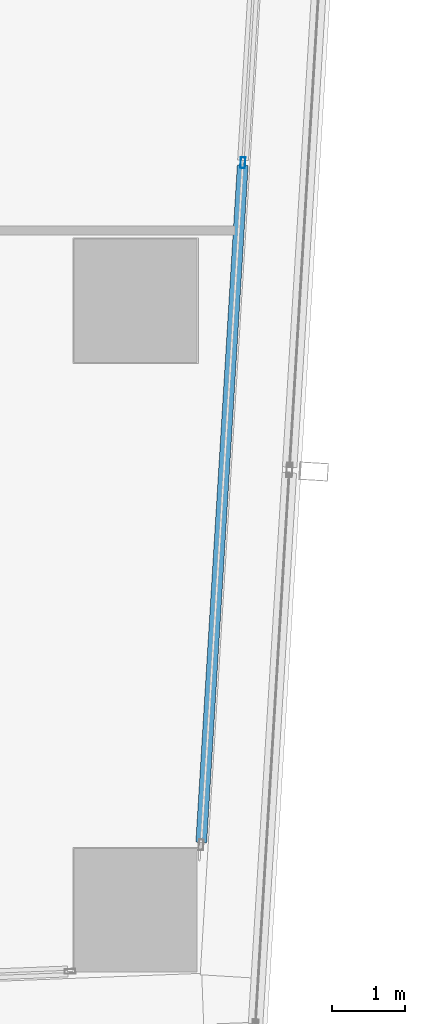
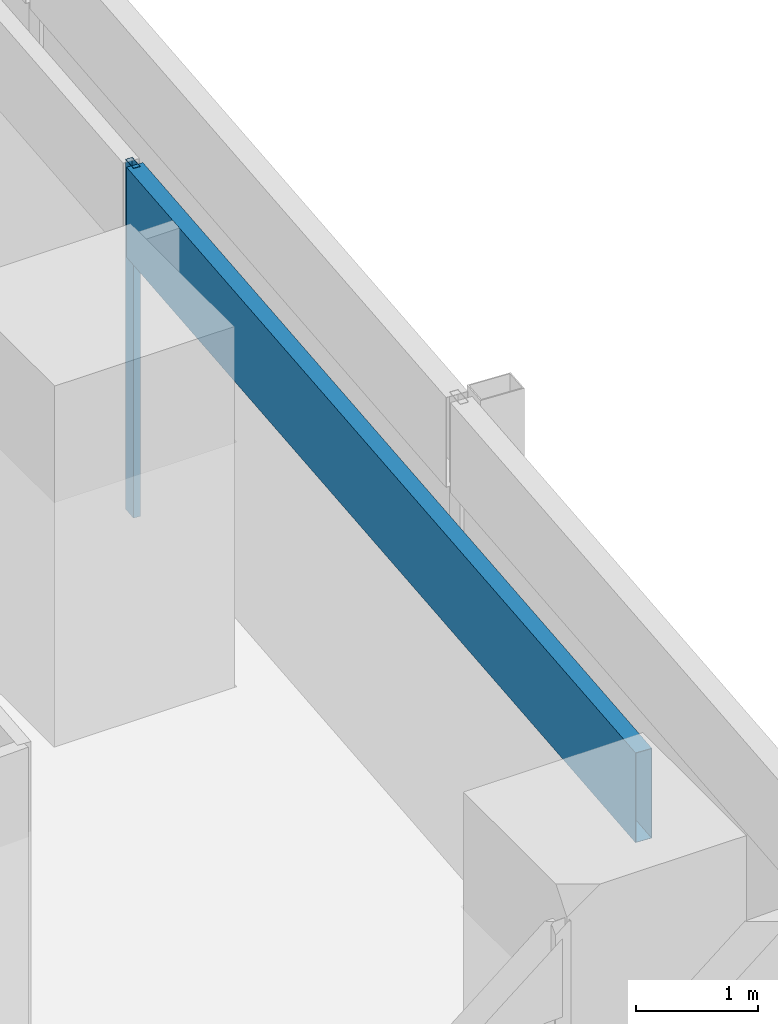
# One storey, part 13 of 40: 2 members, 1 element without a shape of its own.
"""IFC4 building model written with IfcOpenShell, lengths in metres."""

from ifc_helpers import new_model, si_unit, direction, frame, origin, origin_2d, place, context, subcontext, project, spatial, hollow_rectangle, extrude, material, material_profile, profile_set, type_object, element, aggregate, save


model = new_model("IFC4")

# Units and contexts
model_context = context("Model", 3, precision=1e-05, world=origin(), true_north=direction((0.0, 1.0)))
body_context = subcontext(model_context, "Body", "Model", "MODEL_VIEW")
ifc_project = project(units=[si_unit("LENGTHUNIT", "METRE"), si_unit("AREAUNIT", "SQUARE_METRE"), si_unit("VOLUMEUNIT", "CUBIC_METRE"), si_unit("PLANEANGLEUNIT", "RADIAN"), si_unit("MASSUNIT", "GRAM", prefix="KILO")], contexts=[model_context])

# Site, building, storey
site_placement = place(None, origin())
site = spatial("IfcSite", under=ifc_project, at=site_placement, CompositionType="ELEMENT")
building_placement = place(site_placement, origin())
building = spatial("IfcBuilding", under=site, at=building_placement, Name="Rekha Terrace Tower", CompositionType="ELEMENT")
storey_placement = place(building_placement, frame((0.0, 0.0, 106.550048828125)))
storey = spatial("IfcBuildingStorey", under=building, at=storey_placement, Name="L26", CompositionType="ELEMENT", Elevation=106.550048828125)

# Curtain wall, members
ifc_material_1 = material(Name="Aluminium framing", Category="aluminium")
curtain_wall_type = type_object("IfcCurtainWallType", Name="CW1 double skin inner glazing", PredefinedType="USERDEFINED", material=ifc_material_1)
curtain_wall_placement = place(storey_placement, origin())
curtain_wall = element("IfcCurtainWall", 1, at=curtain_wall_placement, inside=storey, type_object=curtain_wall_type, Name="CW1 double skin inner glazing", ObjectType="DOUBLE SKIN INNER GLAZING", PredefinedType="USERDEFINED")
ifc_material_2 = material(Name="Aluminium mullion section", Category="aluminium")
ifc_material_profile_1 = material_profile(ifc_material_2, hollow_rectangle(XDim=0.06494140625, YDim=0.14990234375, WallThickness=0.00390625, at=origin_2d()), Name="AL RHS 65x150")
ifc_profile_set_1 = profile_set([ifc_material_profile_1], Name="Aluminium mullion section")
member_type_1 = type_object("IfcMemberType", Name="CW1 mullion RHS 65 x 150", PredefinedType="MULLION", material=ifc_profile_set_1)
member_1_placement = place(storey_placement, frame((68.679443359375, 27.101806640625, 0.0), z_axis=(0.0, 0.0, 1.0), x_axis=(-0.998127987024, 0.061159803131, 0.0)))
member_1 = element("IfcMember", 2, at=member_1_placement, type_object=member_type_1, Name="CW1 mullion 2", PredefinedType="MULLION", context=body_context, shape_type="SweptSolid", body=[
    extrude(hollow_rectangle(XDim=0.06494140625, YDim=0.14990234375, WallThickness=0.00390625, at=origin_2d()), origin(), (0.0, 0.0, 1.0), 3.5),
])
ifc_material_3 = material(Name="Insulated aluminium spandrel box", Category="aluminium")
ifc_material_profile_2 = material_profile(ifc_material_3, hollow_rectangle(XDim=0.14990234375, YDim=0.89990234375, WallThickness=0.0029296875, at=origin_2d()), Name="AL SPANDREL BOX 150x900")
ifc_profile_set_2 = profile_set([ifc_material_profile_2], Name="Insulated aluminium spandrel box")
member_type_2 = type_object("IfcMemberType", Name="CW1 spandrel transom 150 x 900", PredefinedType="USERDEFINED", material=ifc_profile_set_2)
member_2_placement = place(storey_placement, frame((68.10546875, 17.731689453125, 3.050048828125), z_axis=(0.061145082926, 0.998128888889, 0.0), x_axis=(-0.998128888889, 0.061145082926, 0.0)))
member_2 = element("IfcMember", 3, at=member_2_placement, type_object=member_type_2, Name="CW1 spandrel transom 1", ObjectType="TRANSOM", PredefinedType="USERDEFINED", context=body_context, shape_type="SweptSolid", body=[
    extrude(hollow_rectangle(XDim=0.14990234375, YDim=0.89990234375, WallThickness=0.0029296875, at=origin_2d()), origin(), (0.0, 0.0, 1.0), 9.355224609375),
])
aggregate(curtain_wall, [member_1, member_2])

save(model, "model.ifc")
